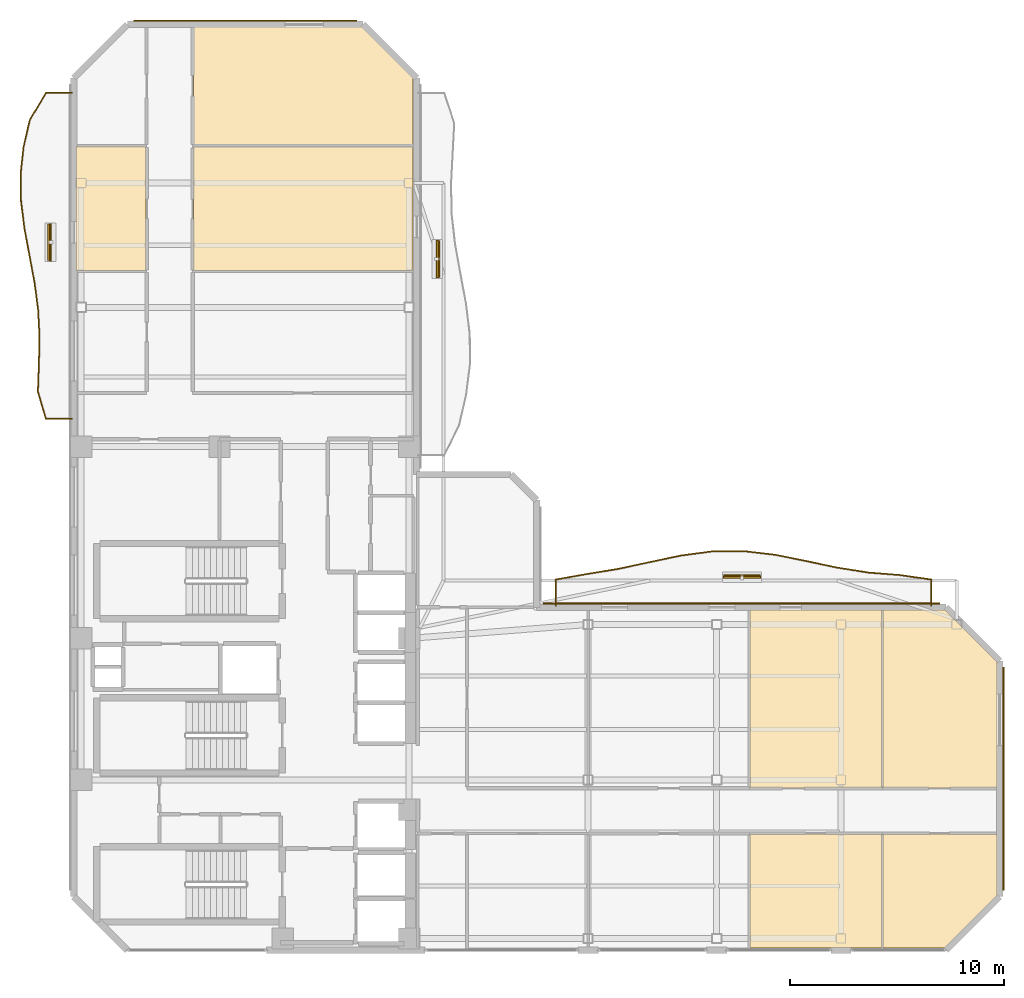
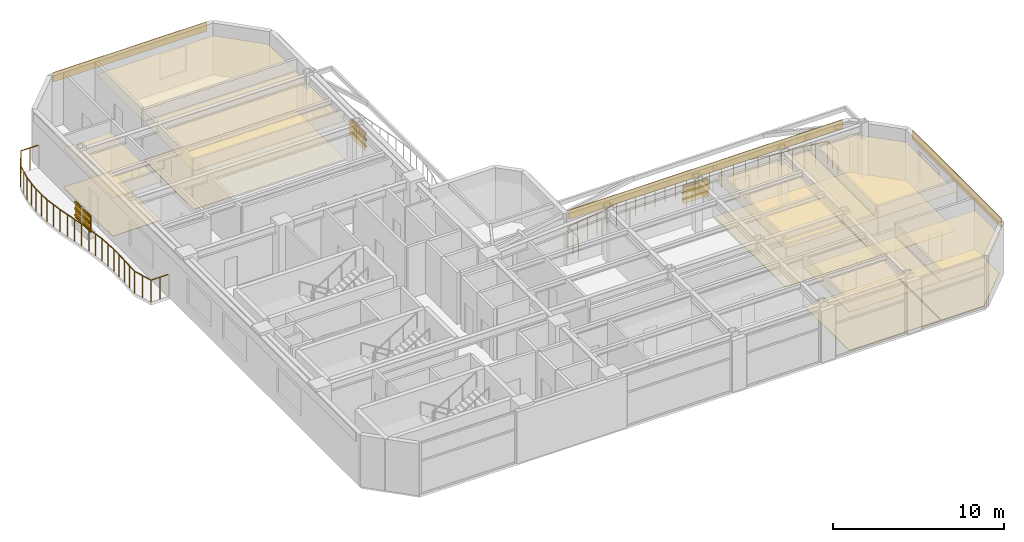
# One storey, part 16 of 16: 16 coverings, 12 shading devices, 2 railings.
"""IFC4 building model written with IfcOpenShell, lengths in metres."""

import ifcopenshell
import ifcopenshell.guid

model = None  # the IFC model being written
_history = None  # IfcOwnerHistory: only IFC2X3 demands one
_inside = {}  # id of a spatial element -> (the spatial element, [elements in it])
_under = {}  # id of a project, library or spatial element -> (it, [spatial elements below it])
_declared = {}  # id of a project -> (the project, [libraries it declares])
_typed = {}  # id of a type object -> (the type object, [elements of that type])
_made_of = {}  # id of a material, layer set ... -> (it, [elements and type objects made of it])


def new_model(schema):
    """Start an empty IFC model of exactly this schema.

    Asked for "IFC4X3", IfcOpenShell would pick the latest addendum, in which some entities
    have other attributes; the version numbers below select the first issue.
    IFC2X3 requires an IfcOwnerHistory on every rooted entity: one is made here for all.
    """
    global model, _history
    if schema == "IFC4X3":
        model = ifcopenshell.file(schema_version=(4, 3, 0, 0))
    else:
        model = ifcopenshell.file(schema=schema)
    _inside.clear()
    _under.clear()
    _declared.clear()
    _typed.clear()
    _made_of.clear()
    _history = None
    if model.schema == "IFC2X3":
        org = make("IfcOrganization", Name="unknown")
        user = make(
            "IfcPersonAndOrganization",
            ThePerson=make("IfcPerson", FamilyName="unknown"),
            TheOrganization=org,
        )
        app = make(
            "IfcApplication",
            ApplicationDeveloper=org,
            Version="unknown",
            ApplicationFullName="unknown",
            ApplicationIdentifier="unknown",
        )
        _history = make(
            "IfcOwnerHistory",
            OwningUser=user,
            OwningApplication=app,
            ChangeAction="ADDED",
            CreationDate=0,
        )
    return model


def make(cls, **values):
    """One entity of the class cls with the attributes given. An attribute that is None is left unset."""
    return model.create_entity(
        cls, **{name: value for name, value in values.items() if value is not None}
    )


def rooted(cls, **values):
    """An entity with a GlobalId (a new one), such as an element, a storey or a relation."""
    return make(cls, GlobalId=ifcopenshell.guid.new(), OwnerHistory=_history, **values)


def si_unit(unit_type, name, prefix=None):
    """IfcSIUnit, for example si_unit("LENGTHUNIT", "METRE", prefix="MILLI")."""
    return make("IfcSIUnit", UnitType=unit_type, Prefix=prefix, Name=name)


def assignment(units):
    """IfcUnitAssignment: the units of a project."""
    return None if units is None else make("IfcUnitAssignment", Units=units)


def point(xyz):
    """IfcCartesianPoint."""
    return None if xyz is None else make("IfcCartesianPoint", Coordinates=xyz)


def direction(xyz):
    """IfcDirection."""
    return None if xyz is None else make("IfcDirection", DirectionRatios=xyz)


def frame(location, z_axis=None, x_axis=None):
    """IfcAxis2Placement3D, a coordinate frame: its origin and axes. An axis left out is left unset."""
    return make(
        "IfcAxis2Placement3D",
        Location=point(location),
        Axis=direction(z_axis),
        RefDirection=direction(x_axis),
    )


def frame_2d(location, x_axis=None):
    """IfcAxis2Placement2D, a coordinate frame in the plane: its origin and x axis."""
    return make(
        "IfcAxis2Placement2D", Location=point(location), RefDirection=direction(x_axis)
    )


def origin():
    """The frame at (0, 0, 0) with its axes left unset."""
    return frame((0.0, 0.0, 0.0))


def origin_2d():
    """The frame at (0, 0) in the plane with its x axis left unset."""
    return frame_2d((0.0, 0.0))


def place(relative_to, where):
    """IfcLocalPlacement: puts the frame where relative to a parent placement (None: the world)."""
    return make(
        "IfcLocalPlacement", PlacementRelTo=relative_to, RelativePlacement=where
    )


def context(
    kind, dimensions, precision=None, world=None, true_north=None, identifier=None
):
    """IfcGeometricRepresentationContext, for example the 3D "Model" context."""
    return make(
        "IfcGeometricRepresentationContext",
        ContextIdentifier=identifier,
        ContextType=kind,
        CoordinateSpaceDimension=dimensions,
        Precision=precision,
        WorldCoordinateSystem=world,
        TrueNorth=true_north,
    )


def subcontext(parent, identifier, kind, view, scale=None):
    """IfcGeometricRepresentationSubContext, for example "Body" below "Model"."""
    return make(
        "IfcGeometricRepresentationSubContext",
        ContextIdentifier=identifier,
        ContextType=kind,
        ParentContext=parent,
        TargetScale=scale,
        TargetView=view,
    )


def project(units=None, contexts=None):
    """IfcProject with its units and contexts."""
    return rooted(
        "IfcProject",
        Name="project",
        RepresentationContexts=contexts,
        UnitsInContext=assignment(units),
    )


def spatial(cls, under=None, at=None, **own):
    """A site, building, storey or space (cls), placed at a placement, below another one or the project."""
    s = rooted(cls, ObjectPlacement=at, **own)
    if under is not None:
        _under.setdefault(under.id(), (under, []))[1].append(s)
    return s


def polyline(points):
    """IfcPolyline through the points."""
    return make("IfcPolyline", Points=[point(p) for p in points])


def profile(cls, at=None, kind="AREA", **sizes):
    """A parametric profile (cls). Its sizes go by their IFC names, for example OverallWidth=200.0."""
    return make(cls, ProfileType=kind, Position=at, **sizes)


def rectangle(**sizes):
    """IfcRectangleProfileDef."""
    return profile("IfcRectangleProfileDef", **sizes)


def outline(outer, holes=None, kind="AREA"):
    """IfcArbitraryClosedProfileDef: a profile drawn as a closed curve; with holes, ...WithVoids."""
    if holes is None:
        return make("IfcArbitraryClosedProfileDef", ProfileType=kind, OuterCurve=outer)
    return make(
        "IfcArbitraryProfileDefWithVoids",
        ProfileType=kind,
        OuterCurve=outer,
        InnerCurves=holes,
    )


def extrude(swept, where, along, depth):
    """IfcExtrudedAreaSolid: the profile swept, set in the frame where, extruded along a direction by depth."""
    return make(
        "IfcExtrudedAreaSolid",
        SweptArea=swept,
        Position=where,
        ExtrudedDirection=direction(along),
        Depth=depth,
    )


def shape(context_of_items, identifier, shape_type, items):
    """IfcShapeRepresentation: the items that make up one representation, for example the "Body"."""
    return make(
        "IfcShapeRepresentation",
        ContextOfItems=context_of_items,
        RepresentationIdentifier=identifier,
        RepresentationType=shape_type,
        Items=items,
    )


def material(Name=None, Category=None):
    """IfcMaterial."""
    return make("IfcMaterial", Name=Name, Category=Category)


def layer(
    of_material, thickness, ventilated=None, Name=None, Category=None, Priority=None
):
    """IfcMaterialLayer: one layer of a wall or slab, of a material (None: an air gap)."""
    return make(
        "IfcMaterialLayer",
        Material=of_material,
        LayerThickness=thickness,
        IsVentilated=ventilated,
        Name=Name,
        Category=Category,
        Priority=Priority,
    )


def layer_set(layers, Name=None):
    """IfcMaterialLayerSet."""
    return make("IfcMaterialLayerSet", MaterialLayers=layers, LayerSetName=Name)


def material_profile(
    of_material, cross_section, Name=None, Category=None, Priority=None
):
    """IfcMaterialProfile: a cross section and its material."""
    return make(
        "IfcMaterialProfile",
        Name=Name,
        Material=of_material,
        Profile=cross_section,
        Priority=Priority,
        Category=Category,
    )


def profile_set(profiles, Name=None, composite=None):
    """IfcMaterialProfileSet."""
    return make(
        "IfcMaterialProfileSet",
        Name=Name,
        MaterialProfiles=profiles,
        CompositeProfile=composite,
    )


def made_of(thing, what):
    """Note that an element or type object is made of a material, layer set ...; save() writes the relation."""
    if what is not None:
        _made_of.setdefault(what.id(), (what, []))[1].append(thing)
    return thing


def type_object(cls, material=None, **own):
    """A type object (cls), such as IfcWallType, which elements share."""
    return made_of(rooted(cls, **own), material)


def element(
    cls,
    number,
    at=None,
    inside=None,
    cuts=None,
    type_object=None,
    material=None,
    context=None,
    identifier="Body",
    shape_type=None,
    held_by="IfcProductDefinitionShape",
    body=None,
    shapes=None,
    **own,
):
    """One element of the class cls, such as IfcWall. Its Tag is "e" and its number.

    at: its placement. inside: the storey or other place that contains it. cuts: it is an
    opening in that element (IfcRelVoidsElement). A single representation is given by context,
    identifier, shape_type and body (its items); several are given by shapes. held_by: the class
    of the entity that holds the representations. save() writes the other relations.
    """
    e = rooted(cls, Tag="e%d" % number, ObjectPlacement=at, **own)
    if body is not None:
        shapes = [shape(context, identifier, shape_type, body)]
    if shapes is not None:
        e.Representation = make(held_by, Representations=shapes)
    if inside is not None:
        _inside.setdefault(inside.id(), (inside, []))[1].append(e)
    if cuts is not None:
        rooted(
            "IfcRelVoidsElement", RelatingBuildingElement=cuts, RelatedOpeningElement=e
        )
    if type_object is not None:
        _typed.setdefault(type_object.id(), (type_object, []))[1].append(e)
    return made_of(e, material)


def aggregate(whole, parts):
    """IfcRelAggregates: a whole, such as a stair, and the parts it consists of."""
    return rooted("IfcRelAggregates", RelatingObject=whole, RelatedObjects=parts)


def save(model, path):
    """Write the relations noted so far, then the file.

    IfcRelAggregates (storeys below a building ...), IfcRelContainedInSpatialStructure (elements
    in a storey), IfcRelDefinesByType, IfcRelAssociatesMaterial and IfcRelDeclares: one each for
    every whole, place, type object, material and project.
    """
    for whole, parts in _under.values():
        aggregate(whole, parts)
    for where, things in _inside.values():
        rooted(
            "IfcRelContainedInSpatialStructure",
            RelatedElements=things,
            RelatingStructure=where,
        )
    for kind, things in _typed.values():
        rooted("IfcRelDefinesByType", RelatedObjects=things, RelatingType=kind)
    for what, things in _made_of.values():
        rooted("IfcRelAssociatesMaterial", RelatedObjects=things, RelatingMaterial=what)
    for by, libraries in _declared.values():
        rooted("IfcRelDeclares", RelatingContext=by, RelatedDefinitions=libraries)
    model.write(path)


model = new_model("IFC4")

# Units and contexts
model_context = context("Model", 3, precision=1e-05, world=origin(), true_north=direction((0.0, 1.0)))
body_context = subcontext(model_context, "Body", "Model", "MODEL_VIEW")
ifc_project = project(units=[si_unit("LENGTHUNIT", "METRE"), si_unit("AREAUNIT", "SQUARE_METRE"), si_unit("VOLUMEUNIT", "CUBIC_METRE"), si_unit("PLANEANGLEUNIT", "RADIAN"), si_unit("MASSUNIT", "GRAM", prefix="KILO")], contexts=[model_context])

# Site, building, storey
site_placement = place(None, origin())
site = spatial("IfcSite", under=ifc_project, at=site_placement, CompositionType="ELEMENT")
building_placement = place(site_placement, origin())
building = spatial("IfcBuilding", under=site, at=building_placement, Name="Mawjaban Terraces University", CompositionType="ELEMENT")
storey_placement = place(building_placement, frame((0.0, 0.0, 230.39990234375)))
storey = spatial("IfcBuildingStorey", under=building, at=storey_placement, Name="L56", CompositionType="ELEMENT", Elevation=230.39990234375)

# Coverings
ifc_material_1 = material(Name="Acoustic mineral fibre ceiling tile", Category="masonry")
ifc_layer_1 = layer(ifc_material_1, 0.02001953125)
ifc_layer_set_1 = layer_set([ifc_layer_1], Name="Acoustic mineral fibre ceiling tile")
covering_type_1 = type_object("IfcCoveringType", Name="AcousticMineralCeiling_20", PredefinedType="CEILING", material=ifc_layer_set_1)
covering_1_placement = place(storey_placement, frame((0.0, 0.0, 2.75)))
element("IfcCovering", 1, at=covering_1_placement, inside=storey, type_object=covering_type_1, Name="L56 Conference Room 6 Acoustic Ceiling", PredefinedType="CEILING", context=body_context, shape_type="SweptSolid", body=[
    extrude(outline(polyline([(53.550048828125, 0.114990234375), (59.702880859375, 0.114990234375), (59.702880859375, 5.419921875), (53.550048828125, 5.419921875), (53.550048828125, 0.114990234375)])), origin(), (0.0, 0.0, 1.0), 0.02001953125),
])
covering_2_placement = place(storey_placement, frame((0.0, 0.0, 2.75)))
element("IfcCovering", 2, at=covering_2_placement, inside=storey, type_object=covering_type_1, Name="L56 Classroom 7 Acoustic Ceiling", PredefinedType="CEILING", context=body_context, shape_type="SweptSolid", body=[
    extrude(outline(polyline([(59.702880859375, 15.885009765625), (53.550048828125, 15.885009765625), (53.550048828125, 7.580078125), (59.702880859375, 7.580078125), (59.702880859375, 15.885009765625)])), origin(), (0.0, 0.0, 1.0), 0.02001953125),
])
covering_3_placement = place(storey_placement, frame((0.0, 0.0, 2.75)))
element("IfcCovering", 3, at=covering_3_placement, inside=storey, type_object=covering_type_1, Name="L56 Seminar Room 8 Acoustic Ceiling", PredefinedType="CEILING", context=body_context, shape_type="SweptSolid", body=[
    extrude(outline(polyline([(59.762939453125, 0.114990234375), (62.653076171875, 0.114990234375), (65.0849609375, 2.547119140625), (65.0849609375, 5.419921875), (59.762939453125, 5.419921875), (59.762939453125, 0.114990234375)])), origin(), (0.0, 0.0, 1.0), 0.02001953125),
])
covering_4_placement = place(storey_placement, frame((0.0, 0.0, 2.75)))
element("IfcCovering", 4, at=covering_4_placement, inside=storey, type_object=covering_type_1, Name="L56 Tutorial Room 9 Acoustic Ceiling", PredefinedType="CEILING", context=body_context, shape_type="SweptSolid", body=[
    extrude(outline(polyline([(65.0849609375, 7.580078125), (65.0849609375, 13.452880859375), (62.653076171875, 15.885009765625), (59.762939453125, 15.885009765625), (59.762939453125, 7.580078125), (65.0849609375, 7.580078125)])), origin(), (0.0, 0.0, 1.0), 0.02001953125),
])
covering_5_placement = place(storey_placement, frame((0.0, 0.0, 2.75)))
element("IfcCovering", 5, at=covering_5_placement, inside=storey, type_object=covering_type_1, Name="L56 Quiet Reading Room 12 Acoustic Ceiling", PredefinedType="CEILING", context=body_context, shape_type="SweptSolid", body=[
    extrude(outline(polyline([(22.114990234375, 37.493896484375), (22.114990234375, 31.7060546875), (25.3701171875, 31.7060546875), (25.3701171875, 37.493896484375), (22.114990234375, 37.493896484375)])), origin(), (0.0, 0.0, 1.0), 0.02001953125),
])
covering_6_placement = place(storey_placement, frame((0.0, 0.0, 2.75)))
element("IfcCovering", 6, at=covering_6_placement, inside=storey, type_object=covering_type_1, Name="L56 Reading Salon 13 Acoustic Ceiling", PredefinedType="CEILING", context=body_context, shape_type="SweptSolid", body=[
    extrude(outline(polyline([(37.820068359375, 31.7060546875), (37.820068359375, 37.493896484375), (27.580078125, 37.493896484375), (27.580078125, 31.7060546875), (37.820068359375, 31.7060546875)])), origin(), (0.0, 0.0, 1.0), 0.02001953125),
])
covering_7_placement = place(storey_placement, frame((0.0, 0.0, 2.75)))
element("IfcCovering", 7, at=covering_7_placement, inside=storey, type_object=covering_type_1, Name="L56 Design Studio 15 Acoustic Ceiling", PredefinedType="CEILING", context=body_context, shape_type="SweptSolid", body=[
    extrude(outline(polyline([(37.820068359375, 40.718017578125), (35.452880859375, 43.0849609375), (27.580078125, 43.0849609375), (27.580078125, 37.553955078125), (37.820068359375, 37.553955078125), (37.820068359375, 40.718017578125)])), origin(), (0.0, 0.0, 1.0), 0.02001953125),
])

# Railings
ifc_material_2 = material(Name="Galvanised powder-coated steel S355", Category="steel")
railing_type = type_object("IfcRailingType", Name="BalconyBalustrade_1600", PredefinedType="BALUSTRADE", material=ifc_material_2)
railing_1_placement = place(storey_placement, frame((21.919921875, 24.800048828125, 0.0)))
element("IfcRailing", 8, at=railing_1_placement, inside=storey, type_object=railing_type, Name="L56 Balcony Guardrail west", PredefinedType="BALUSTRADE", context=body_context, shape_type="SweptSolid", body=[
    extrude(rectangle(XDim=0.048095703125, YDim=0.048095703125, at=origin_2d()), frame((0.0, 0.0, 1.576171875), z_axis=(-1.0, 0.0, 0.0), x_axis=(0.0, -1.0, 0.0)), (0.0, 0.0, 1.0), 1.219970703125),
    extrude(rectangle(XDim=0.048095703125, YDim=0.048095703125, at=origin_2d()), frame((-1.219970703125, 0.0, 1.576171875), z_axis=(-0.283836652003, 0.958872647946, 0.0), x_axis=(-0.958872647946, -0.283836652003, 0.0)), (0.0, 0.0, 1.0), 1.3212890625),
    extrude(rectangle(XDim=0.048095703125, YDim=0.048095703125, at=origin_2d()), frame((-1.594970703125, 1.266845703125, 1.576171875), z_axis=(0.036420094756, 0.999336568278, 0.0), x_axis=(-0.999336568278, 0.036420094756, 0.0)), (0.0, 0.0, 1.0), 1.266845703125),
    extrude(rectangle(XDim=0.048095703125, YDim=0.048095703125, at=origin_2d()), frame((-1.548828125, 2.532958984375, 1.576171875), z_axis=(0.022730156671, 0.999741636613, 0.0), x_axis=(-0.999741636613, 0.022730156671, 0.0)), (0.0, 0.0, 1.0), 1.267333984375),
    extrude(rectangle(XDim=0.048095703125, YDim=0.048095703125, at=origin_2d()), frame((-1.52001953125, 3.800048828125, 1.576171875), z_axis=(-0.049659218488, 0.998766219903, 0.0), x_axis=(-0.998766219903, -0.049659218488, 0.0)), (0.0, 0.0, 1.0), 1.268310546875),
    extrude(rectangle(XDim=0.048095703125, YDim=0.048095703125, at=origin_2d()), frame((-1.5830078125, 5.06689453125, 1.576171875), z_axis=(-0.1300093866, 0.991512763103, 0.0), x_axis=(-0.991512763103, -0.1300093866, 0.0)), (0.0, 0.0, 1.0), 1.27685546875),
    extrude(rectangle(XDim=0.048095703125, YDim=0.048095703125, at=origin_2d()), frame((-1.7490234375, 6.3330078125, 1.576171875), z_axis=(-0.183018639855, 0.98310944328, 0.0), x_axis=(-0.98310944328, -0.183018639855, 0.0)), (0.0, 0.0, 1.0), 1.28857421875),
    extrude(rectangle(XDim=0.048095703125, YDim=0.048095703125, at=origin_2d()), frame((-1.98486328125, 7.599853515625, 1.576171875), z_axis=(-0.183167629907, 0.983081695158, 0.0), x_axis=(-0.983081695158, -0.183167629907, 0.0)), (0.0, 0.0, 1.0), 1.288818359375),
    extrude(rectangle(XDim=0.048095703125, YDim=0.048095703125, at=origin_2d()), frame((-2.220947265625, 8.866943359375, 1.576171875), z_axis=(-0.124552767718, 0.992212985227, 0.0), x_axis=(-0.992212985227, -0.124552767718, 0.0)), (0.0, 0.0, 1.0), 1.276123046875),
    extrude(rectangle(XDim=0.048095703125, YDim=0.048095703125, at=origin_2d()), frame((-2.3798828125, 10.133056640625, 1.576171875), z_axis=(-0.018112272148, 0.999835959344, 0.0), x_axis=(-0.999835959344, -0.018112272148, 0.0)), (0.0, 0.0, 1.0), 1.26708984375),
    extrude(rectangle(XDim=0.048095703125, YDim=0.048095703125, at=origin_2d()), frame((-2.40283203125, 11.39990234375, 1.576171875), z_axis=(0.107466490315, 0.994208707193, 0.0), x_axis=(-0.994208707193, 0.107466490315, 0.0)), (0.0, 0.0, 1.0), 1.2744140625),
    extrude(rectangle(XDim=0.048095703125, YDim=0.048095703125, at=origin_2d()), frame((-2.265869140625, 12.6669921875, 1.576171875), z_axis=(0.224049507201, 0.974577764123, 0.0), x_axis=(-0.974577764123, 0.224049507201, 0.0)), (0.0, 0.0, 1.0), 1.298828125),
    extrude(rectangle(XDim=0.048095703125, YDim=0.048095703125, at=origin_2d()), frame((-1.974853515625, 13.932861328125, 1.576171875), z_axis=(0.511815572466, 0.859095349645, 0.0), x_axis=(-0.859095349645, 0.511815572466, 0.0)), (0.0, 0.0, 1.0), 1.474853515625),
    extrude(rectangle(XDim=0.048095703125, YDim=0.048095703125, at=origin_2d()), frame((-1.219970703125, 15.199951171875, 1.576171875), z_axis=(1.0, 0.0, 0.0), x_axis=(0.0, 1.0, 0.0)), (0.0, 0.0, 1.0), 1.219970703125),
    extrude(rectangle(XDim=0.0419921875, YDim=0.0419921875, at=origin_2d()), origin(), (0.0, 0.0, 1.0), 1.552001953125),
    extrude(rectangle(XDim=0.0419921875, YDim=0.0419921875, at=origin_2d()), frame((-0.60986328125, 0.0, 0.0)), (0.0, 0.0, 1.0), 1.552001953125),
    extrude(rectangle(XDim=0.0419921875, YDim=0.0419921875, at=origin_2d()), frame((-1.219970703125, 0.0, 0.0)), (0.0, 0.0, 1.0), 1.552001953125),
    extrude(rectangle(XDim=0.0419921875, YDim=0.0419921875, at=origin_2d()), frame((-1.407470703125, 0.63330078125, 0.0)), (0.0, 0.0, 1.0), 1.552001953125),
    extrude(rectangle(XDim=0.0419921875, YDim=0.0419921875, at=origin_2d()), frame((-1.594970703125, 1.266845703125, 0.0)), (0.0, 0.0, 1.0), 1.552001953125),
    extrude(rectangle(XDim=0.0419921875, YDim=0.0419921875, at=origin_2d()), frame((-1.57177734375, 1.89990234375, 0.0)), (0.0, 0.0, 1.0), 1.552001953125),
    extrude(rectangle(XDim=0.0419921875, YDim=0.0419921875, at=origin_2d()), frame((-1.548828125, 2.532958984375, 0.0)), (0.0, 0.0, 1.0), 1.552001953125),
    extrude(rectangle(XDim=0.0419921875, YDim=0.0419921875, at=origin_2d()), frame((-1.534423828125, 3.16650390625, 0.0)), (0.0, 0.0, 1.0), 1.552001953125),
    extrude(rectangle(XDim=0.0419921875, YDim=0.0419921875, at=origin_2d()), frame((-1.52001953125, 3.800048828125, 0.0)), (0.0, 0.0, 1.0), 1.552001953125),
    extrude(rectangle(XDim=0.0419921875, YDim=0.0419921875, at=origin_2d()), frame((-1.551513671875, 4.43359375, 0.0)), (0.0, 0.0, 1.0), 1.552001953125),
    extrude(rectangle(XDim=0.0419921875, YDim=0.0419921875, at=origin_2d()), frame((-1.5830078125, 5.06689453125, 0.0)), (0.0, 0.0, 1.0), 1.552001953125),
    extrude(rectangle(XDim=0.0419921875, YDim=0.0419921875, at=origin_2d()), frame((-1.666015625, 5.699951171875, 0.0)), (0.0, 0.0, 1.0), 1.552001953125),
    extrude(rectangle(XDim=0.0419921875, YDim=0.0419921875, at=origin_2d()), frame((-1.7490234375, 6.3330078125, 0.0)), (0.0, 0.0, 1.0), 1.552001953125),
    extrude(rectangle(XDim=0.0419921875, YDim=0.0419921875, at=origin_2d()), frame((-1.866943359375, 6.96630859375, 0.0)), (0.0, 0.0, 1.0), 1.552001953125),
    extrude(rectangle(XDim=0.0419921875, YDim=0.0419921875, at=origin_2d()), frame((-1.98486328125, 7.599853515625, 0.0)), (0.0, 0.0, 1.0), 1.552001953125),
    extrude(rectangle(XDim=0.0419921875, YDim=0.0419921875, at=origin_2d()), frame((-2.10302734375, 8.2333984375, 0.0)), (0.0, 0.0, 1.0), 1.552001953125),
    extrude(rectangle(XDim=0.0419921875, YDim=0.0419921875, at=origin_2d()), frame((-2.220947265625, 8.866943359375, 0.0)), (0.0, 0.0, 1.0), 1.552001953125),
    extrude(rectangle(XDim=0.0419921875, YDim=0.0419921875, at=origin_2d()), frame((-2.30029296875, 9.5, 0.0)), (0.0, 0.0, 1.0), 1.552001953125),
    extrude(rectangle(XDim=0.0419921875, YDim=0.0419921875, at=origin_2d()), frame((-2.3798828125, 10.133056640625, 0.0)), (0.0, 0.0, 1.0), 1.552001953125),
    extrude(rectangle(XDim=0.0419921875, YDim=0.0419921875, at=origin_2d()), frame((-2.391357421875, 10.7666015625, 0.0)), (0.0, 0.0, 1.0), 1.552001953125),
    extrude(rectangle(XDim=0.0419921875, YDim=0.0419921875, at=origin_2d()), frame((-2.40283203125, 11.39990234375, 0.0)), (0.0, 0.0, 1.0), 1.552001953125),
    extrude(rectangle(XDim=0.0419921875, YDim=0.0419921875, at=origin_2d()), frame((-2.33447265625, 12.033447265625, 0.0)), (0.0, 0.0, 1.0), 1.552001953125),
    extrude(rectangle(XDim=0.0419921875, YDim=0.0419921875, at=origin_2d()), frame((-2.265869140625, 12.6669921875, 0.0)), (0.0, 0.0, 1.0), 1.552001953125),
    extrude(rectangle(XDim=0.0419921875, YDim=0.0419921875, at=origin_2d()), frame((-2.120361328125, 13.2998046875, 0.0)), (0.0, 0.0, 1.0), 1.552001953125),
    extrude(rectangle(XDim=0.0419921875, YDim=0.0419921875, at=origin_2d()), frame((-1.974853515625, 13.932861328125, 0.0)), (0.0, 0.0, 1.0), 1.552001953125),
    extrude(rectangle(XDim=0.0419921875, YDim=0.0419921875, at=origin_2d()), frame((-1.597412109375, 14.56640625, 0.0)), (0.0, 0.0, 1.0), 1.552001953125),
    extrude(rectangle(XDim=0.0419921875, YDim=0.0419921875, at=origin_2d()), frame((-1.219970703125, 15.199951171875, 0.0)), (0.0, 0.0, 1.0), 1.552001953125),
    extrude(rectangle(XDim=0.0419921875, YDim=0.0419921875, at=origin_2d()), frame((-0.60986328125, 15.199951171875, 0.0)), (0.0, 0.0, 1.0), 1.552001953125),
    extrude(rectangle(XDim=0.0419921875, YDim=0.0419921875, at=origin_2d()), frame((0.0, 15.199951171875, 0.0)), (0.0, 0.0, 1.0), 1.552001953125),
])
railing_2_placement = place(storey_placement, frame((44.5, 16.080078125, 0.0)))
element("IfcRailing", 9, at=railing_2_placement, inside=storey, type_object=railing_type, Name="L56 Balcony Guardrail inner_north", PredefinedType="BALUSTRADE", context=body_context, shape_type="SweptSolid", body=[
    extrude(rectangle(XDim=0.048095703125, YDim=0.048095703125, at=origin_2d()), frame((0.0, 0.0, 1.576171875), z_axis=(0.0, 1.0, 0.0), x_axis=(-1.0, 0.0, 0.0)), (0.0, 0.0, 1.0), 1.219970703125),
    extrude(rectangle(XDim=0.048095703125, YDim=0.048095703125, at=origin_2d()), frame((0.0, 1.219970703125, 1.576171875), z_axis=(0.984354142278, 0.176201369406, 0.0), x_axis=(-0.176201369406, 0.984354142278, 0.0)), (0.0, 0.0, 1.0), 1.481201171875),
    extrude(rectangle(XDim=0.048095703125, YDim=0.048095703125, at=origin_2d()), frame((1.4580078125, 1.48095703125, 1.576171875), z_axis=(0.987055349452, 0.160379977296, 0.0), x_axis=(-0.160379977296, 0.987055349452, 0.0)), (0.0, 0.0, 1.0), 1.47802734375),
    extrude(rectangle(XDim=0.048095703125, YDim=0.048095703125, at=origin_2d()), frame((2.9169921875, 1.718017578125, 1.576171875), z_axis=(0.977456178018, 0.211138390764, 0.0), x_axis=(-0.211138390764, 0.977456178018, 0.0)), (0.0, 0.0, 1.0), 1.49169921875),
    extrude(rectangle(XDim=0.048095703125, YDim=0.048095703125, at=origin_2d()), frame((4.375, 2.032958984375, 1.576171875), z_axis=(0.978558476834, 0.205969190452, 0.0), x_axis=(-0.205969190452, 0.978558476834, 0.0)), (0.0, 0.0, 1.0), 1.489990234375),
    extrude(rectangle(XDim=0.048095703125, YDim=0.048095703125, at=origin_2d()), frame((5.8330078125, 2.33984375, 1.576171875), z_axis=(0.991266971821, 0.131870355187, 0.0), x_axis=(-0.131870355187, 0.991266971821, 0.0)), (0.0, 0.0, 1.0), 1.471923828125),
    extrude(rectangle(XDim=0.048095703125, YDim=0.048095703125, at=origin_2d()), frame((7.2919921875, 2.533935546875, 1.576171875), z_axis=(0.999954453979, 0.009544106476, 0.0), x_axis=(-0.009544106476, 0.999954453979, 0.0)), (0.0, 0.0, 1.0), 1.4580078125),
    extrude(rectangle(XDim=0.048095703125, YDim=0.048095703125, at=origin_2d()), frame((8.75, 2.5478515625, 1.576171875), z_axis=(0.993200463188, -0.116416665143, 0.0), x_axis=(0.116416665143, 0.993200463188, 0.0)), (0.0, 0.0, 1.0), 1.468017578125),
    extrude(rectangle(XDim=0.048095703125, YDim=0.048095703125, at=origin_2d()), frame((10.2080078125, 2.376953125, 1.576171875), z_axis=(0.980555424147, -0.196242350616, 0.0), x_axis=(0.196242350616, 0.980555424147, 0.0)), (0.0, 0.0, 1.0), 1.488037109375),
    extrude(rectangle(XDim=0.048095703125, YDim=0.048095703125, at=origin_2d()), frame((11.6669921875, 2.0849609375, 1.576171875), z_axis=(0.978260315042, -0.207380703088, 0.0), x_axis=(0.207380703088, 0.978260315042, 0.0)), (0.0, 0.0, 1.0), 1.490478515625),
    extrude(rectangle(XDim=0.048095703125, YDim=0.048095703125, at=origin_2d()), frame((13.125, 1.77587890625, 1.576171875), z_axis=(0.987685066399, -0.156455136104, 0.0), x_axis=(0.156455136104, 0.987685066399, 0.0)), (0.0, 0.0, 1.0), 1.47607421875),
    extrude(rectangle(XDim=0.048095703125, YDim=0.048095703125, at=origin_2d()), frame((14.5830078125, 1.544921875, 1.576171875), z_axis=(0.996908472947, -0.078571601532, 0.0), x_axis=(0.078571601532, 0.996908472947, 0.0)), (0.0, 0.0, 1.0), 1.463623046875),
    extrude(rectangle(XDim=0.048095703125, YDim=0.048095703125, at=origin_2d()), frame((16.0419921875, 1.429931640625, 1.576171875), z_axis=(0.989789758262, -0.142535028819, 0.0), x_axis=(0.142535028819, 0.989789758262, 0.0)), (0.0, 0.0, 1.0), 1.47314453125),
    extrude(rectangle(XDim=0.048095703125, YDim=0.048095703125, at=origin_2d()), frame((17.5, 1.219970703125, 1.576171875), z_axis=(0.0, -1.0, 0.0), x_axis=(1.0, 0.0, 0.0)), (0.0, 0.0, 1.0), 1.219970703125),
    extrude(rectangle(XDim=0.0419921875, YDim=0.0419921875, at=origin_2d()), origin(), (0.0, 0.0, 1.0), 1.552001953125),
    extrude(rectangle(XDim=0.0419921875, YDim=0.0419921875, at=origin_2d()), frame((0.0, 0.60986328125, 0.0)), (0.0, 0.0, 1.0), 1.552001953125),
    extrude(rectangle(XDim=0.0419921875, YDim=0.0419921875, at=origin_2d()), frame((0.0, 1.219970703125, 0.0)), (0.0, 0.0, 1.0), 1.552001953125),
    extrude(rectangle(XDim=0.0419921875, YDim=0.0419921875, at=origin_2d()), frame((0.72900390625, 1.3505859375, 0.0)), (0.0, 0.0, 1.0), 1.552001953125),
    extrude(rectangle(XDim=0.0419921875, YDim=0.0419921875, at=origin_2d()), frame((1.4580078125, 1.48095703125, 0.0)), (0.0, 0.0, 1.0), 1.552001953125),
    extrude(rectangle(XDim=0.0419921875, YDim=0.0419921875, at=origin_2d()), frame((2.1875, 1.599609375, 0.0)), (0.0, 0.0, 1.0), 1.552001953125),
    extrude(rectangle(XDim=0.0419921875, YDim=0.0419921875, at=origin_2d()), frame((2.9169921875, 1.718017578125, 0.0)), (0.0, 0.0, 1.0), 1.552001953125),
    extrude(rectangle(XDim=0.0419921875, YDim=0.0419921875, at=origin_2d()), frame((3.64599609375, 1.87548828125, 0.0)), (0.0, 0.0, 1.0), 1.552001953125),
    extrude(rectangle(XDim=0.0419921875, YDim=0.0419921875, at=origin_2d()), frame((4.375, 2.032958984375, 0.0)), (0.0, 0.0, 1.0), 1.552001953125),
    extrude(rectangle(XDim=0.0419921875, YDim=0.0419921875, at=origin_2d()), frame((5.10400390625, 2.1865234375, 0.0)), (0.0, 0.0, 1.0), 1.552001953125),
    extrude(rectangle(XDim=0.0419921875, YDim=0.0419921875, at=origin_2d()), frame((5.8330078125, 2.33984375, 0.0)), (0.0, 0.0, 1.0), 1.552001953125),
    extrude(rectangle(XDim=0.0419921875, YDim=0.0419921875, at=origin_2d()), frame((6.5625, 2.43701171875, 0.0)), (0.0, 0.0, 1.0), 1.552001953125),
    extrude(rectangle(XDim=0.0419921875, YDim=0.0419921875, at=origin_2d()), frame((7.2919921875, 2.533935546875, 0.0)), (0.0, 0.0, 1.0), 1.552001953125),
    extrude(rectangle(XDim=0.0419921875, YDim=0.0419921875, at=origin_2d()), frame((8.02099609375, 2.541015625, 0.0)), (0.0, 0.0, 1.0), 1.552001953125),
    extrude(rectangle(XDim=0.0419921875, YDim=0.0419921875, at=origin_2d()), frame((8.75, 2.5478515625, 0.0)), (0.0, 0.0, 1.0), 1.552001953125),
    extrude(rectangle(XDim=0.0419921875, YDim=0.0419921875, at=origin_2d()), frame((9.47900390625, 2.46240234375, 0.0)), (0.0, 0.0, 1.0), 1.552001953125),
    extrude(rectangle(XDim=0.0419921875, YDim=0.0419921875, at=origin_2d()), frame((10.2080078125, 2.376953125, 0.0)), (0.0, 0.0, 1.0), 1.552001953125),
    extrude(rectangle(XDim=0.0419921875, YDim=0.0419921875, at=origin_2d()), frame((10.9375, 2.23095703125, 0.0)), (0.0, 0.0, 1.0), 1.552001953125),
    extrude(rectangle(XDim=0.0419921875, YDim=0.0419921875, at=origin_2d()), frame((11.6669921875, 2.0849609375, 0.0)), (0.0, 0.0, 1.0), 1.552001953125),
    extrude(rectangle(XDim=0.0419921875, YDim=0.0419921875, at=origin_2d()), frame((12.39599609375, 1.930419921875, 0.0)), (0.0, 0.0, 1.0), 1.552001953125),
    extrude(rectangle(XDim=0.0419921875, YDim=0.0419921875, at=origin_2d()), frame((13.125, 1.77587890625, 0.0)), (0.0, 0.0, 1.0), 1.552001953125),
    extrude(rectangle(XDim=0.0419921875, YDim=0.0419921875, at=origin_2d()), frame((13.85400390625, 1.660400390625, 0.0)), (0.0, 0.0, 1.0), 1.552001953125),
    extrude(rectangle(XDim=0.0419921875, YDim=0.0419921875, at=origin_2d()), frame((14.5830078125, 1.544921875, 0.0)), (0.0, 0.0, 1.0), 1.552001953125),
    extrude(rectangle(XDim=0.0419921875, YDim=0.0419921875, at=origin_2d()), frame((15.3125, 1.4873046875, 0.0)), (0.0, 0.0, 1.0), 1.552001953125),
    extrude(rectangle(XDim=0.0419921875, YDim=0.0419921875, at=origin_2d()), frame((16.0419921875, 1.429931640625, 0.0)), (0.0, 0.0, 1.0), 1.552001953125),
    extrude(rectangle(XDim=0.0419921875, YDim=0.0419921875, at=origin_2d()), frame((16.77099609375, 1.324951171875, 0.0)), (0.0, 0.0, 1.0), 1.552001953125),
    extrude(rectangle(XDim=0.0419921875, YDim=0.0419921875, at=origin_2d()), frame((17.5, 1.219970703125, 0.0)), (0.0, 0.0, 1.0), 1.552001953125),
    extrude(rectangle(XDim=0.0419921875, YDim=0.0419921875, at=origin_2d()), frame((17.5, 0.60986328125, 0.0)), (0.0, 0.0, 1.0), 1.552001953125),
    extrude(rectangle(XDim=0.0419921875, YDim=0.0419921875, at=origin_2d()), frame((17.5, 0.0, 0.0)), (0.0, 0.0, 1.0), 1.552001953125),
])

# Shading devices
ifc_material_3 = material(Name="Glazed architectural terracotta ceramic", Category="masonry")
ifc_material_profile = material_profile(ifc_material_3, rectangle(XDim=0.06494140625, YDim=0.110107421875, at=origin_2d()), Name="TBAG110X65")
ifc_profile_set = profile_set([ifc_material_profile], Name="Glazed architectural terracotta ceramic")
shading_device_type_1 = type_object("IfcShadingDeviceType", Name="TerracottaBaguette_110x65", PredefinedType="USERDEFINED", material=ifc_profile_set)
for number, where, z_axis, x_axis, name in (
    (10, (20.827880859375, 32.18408203125, 0.68017578125), (0.0, 1.0, 0.0), (-1.0, 0.0, 0.0), "L56 Horizontal Terracotta Baguette west.1"),
    (11, (20.827880859375, 32.18408203125, 1.150146484375), (0.0, 1.0, 0.0), (-1.0, 0.0, 0.0), "L56 Horizontal Terracotta Baguette west.2"),
    (12, (20.827880859375, 32.18408203125, 1.6201171875), (0.0, 1.0, 0.0), (-1.0, 0.0, 0.0), "L56 Horizontal Terracotta Baguette west.3"),
    (13, (52.3291015625, 17.489990234375, 0.68017578125), (1.0, 0.0, 0.0), (0.0, 1.0, 0.0), "L56 Horizontal Terracotta Baguette inner_north.1"),
    (14, (52.3291015625, 17.489990234375, 1.150146484375), (1.0, 0.0, 0.0), (0.0, 1.0, 0.0), "L56 Horizontal Terracotta Baguette inner_north.2"),
    (15, (52.3291015625, 17.489990234375, 1.6201171875), (1.0, 0.0, 0.0), (0.0, 1.0, 0.0), "L56 Horizontal Terracotta Baguette inner_north.3"),
    (16, (39.0439453125, 31.404052734375, 0.68017578125), (0.0, 1.0, 0.0), (-1.0, 0.0, 0.0), "L56 Horizontal Terracotta Baguette inner_east.1"),
    (17, (39.0439453125, 31.404052734375, 1.150146484375), (0.0, 1.0, 0.0), (-1.0, 0.0, 0.0), "L56 Horizontal Terracotta Baguette inner_east.2"),
    (18, (39.0439453125, 31.404052734375, 1.6201171875), (0.0, 1.0, 0.0), (-1.0, 0.0, 0.0), "L56 Horizontal Terracotta Baguette inner_east.3"),
):
    element("IfcShadingDevice", number, at=place(storey_placement, frame(where, z_axis=z_axis, x_axis=x_axis)), inside=storey, type_object=shading_device_type_1, Name=name, ObjectType="BAGUETTE", PredefinedType="USERDEFINED", context=body_context, shape_type="SweptSolid", body=[
        extrude(rectangle(XDim=0.06494140625, YDim=0.110107421875, at=origin_2d()), origin(), (0.0, 0.0, 1.0), 1.699951171875),
    ])
ifc_layer_2 = layer(ifc_material_3, 0.080078125)
ifc_layer_set_2 = layer_set([ifc_layer_2], Name="Glazed architectural terracotta ceramic")
shading_device_type_2 = type_object("IfcShadingDeviceType", Name="TerracottaScreen_Perforated", PredefinedType="USERDEFINED", material=ifc_layer_set_2)
for number, where, z_axis, x_axis, name in (
    (19, (20.9130859375, 33.033935546875, 0.440185546875), (0.0, 0.0, 1.0), (0.0, 1.0, 0.0), "L56 Balcony Perforated Terracotta Screen west"),
    (20, (53.178955078125, 17.405029296875, 0.440185546875), (0.0, 0.0, 1.0), (1.0, 0.0, 0.0), "L56 Balcony Perforated Terracotta Screen inner_north"),
    (21, (38.958984375, 32.25390625, 0.440185546875), (0.0, 0.0, 1.0), (0.0, 1.0, 0.0), "L56 Balcony Perforated Terracotta Screen inner_east"),
):
    element("IfcShadingDevice", number, at=place(storey_placement, frame(where, z_axis=z_axis, x_axis=x_axis)), inside=storey, type_object=shading_device_type_2, Name=name, ObjectType="SCREEN", PredefinedType="USERDEFINED", context=body_context, shape_type="SweptSolid", body=[
        extrude(rectangle(XDim=1.75, YDim=0.080078125, at=origin_2d()), origin(), (0.0, 0.0, 1.0), 1.14990234375),
    ])

# Coverings
ifc_material_4 = material(Name="Glazed architectural terracotta rainscreen", Category="masonry")
ifc_layer_3 = layer(ifc_material_4, 0.06005859375)
ifc_layer_set_3 = layer_set([ifc_layer_3], Name="Glazed architectural terracotta rainscreen")
covering_type_2 = type_object("IfcCoveringType", Name="TerracottaSpandrelCladding_60", PredefinedType="CLADDING", material=ifc_layer_set_3)
covering_8_placement = place(storey_placement, frame((65.375, 8.0, 3.01513671875), z_axis=(0.0, 0.0, 1.0), x_axis=(0.0, 1.0, 0.0)))
element("IfcCovering", 22, at=covering_8_placement, inside=storey, type_object=covering_type_2, Name="L56 Terracotta Spandrel Cladding 3", PredefinedType="CLADDING", context=body_context, shape_type="SweptSolid", body=[
    extrude(rectangle(XDim=10.39990234375, YDim=0.06005859375, at=origin_2d()), origin(), (0.0, 0.0, 1.0), 0.64990234375),
])
covering_9_placement = place(storey_placement, frame((53.14990234375, 16.175048828125, 3.01513671875), z_axis=(0.0, 0.0, 1.0), x_axis=(-1.0, 0.0, 0.0)))
element("IfcCovering", 23, at=covering_9_placement, inside=storey, type_object=covering_type_2, Name="L56 Terracotta Spandrel Cladding 5", PredefinedType="CLADDING", context=body_context, shape_type="SweptSolid", body=[
    extrude(rectangle(XDim=18.5, YDim=0.06005859375, at=origin_2d()), origin(), (0.0, 0.0, 1.0), 0.64990234375),
])
covering_10_placement = place(storey_placement, frame((30.0, 43.375, 3.01513671875), z_axis=(0.0, 0.0, 1.0), x_axis=(-1.0, 0.0, 0.0)))
element("IfcCovering", 24, at=covering_10_placement, inside=storey, type_object=covering_type_2, Name="L56 Terracotta Spandrel Cladding 11", PredefinedType="CLADDING", context=body_context, shape_type="SweptSolid", body=[
    extrude(rectangle(XDim=10.39990234375, YDim=0.06005859375, at=origin_2d()), origin(), (0.0, 0.0, 1.0), 0.64990234375),
])
ifc_material_5 = material(Name="Polished Hijazi granite terrazzo flooring", Category="masonry")
ifc_layer_4 = layer(ifc_material_5, 0.02490234375)
ifc_layer_set_4 = layer_set([ifc_layer_4], Name="Polished Hijazi granite terrazzo flooring")
covering_type_3 = type_object("IfcCoveringType", Name="TerrazzoConcourseFlooring_25", PredefinedType="FLOORING", material=ifc_layer_set_4)
covering_11_placement = place(storey_placement, origin())
element("IfcCovering", 25, at=covering_11_placement, inside=storey, type_object=covering_type_3, Name="L56 Conference Room 6 Terrazzo Flooring", PredefinedType="FLOORING", context=body_context, shape_type="SweptSolid", body=[
    extrude(outline(polyline([(53.550048828125, 0.114990234375), (59.702880859375, 0.114990234375), (59.702880859375, 5.419921875), (53.550048828125, 5.419921875), (53.550048828125, 0.114990234375)])), origin(), (0.0, 0.0, 1.0), 0.025146484375),
])
covering_12_placement = place(storey_placement, origin())
element("IfcCovering", 26, at=covering_12_placement, inside=storey, type_object=covering_type_3, Name="L56 Classroom 7 Terrazzo Flooring", PredefinedType="FLOORING", context=body_context, shape_type="SweptSolid", body=[
    extrude(outline(polyline([(59.702880859375, 15.885009765625), (53.550048828125, 15.885009765625), (53.550048828125, 7.580078125), (59.702880859375, 7.580078125), (59.702880859375, 15.885009765625)])), origin(), (0.0, 0.0, 1.0), 0.025146484375),
])
covering_13_placement = place(storey_placement, origin())
element("IfcCovering", 27, at=covering_13_placement, inside=storey, type_object=covering_type_3, Name="L56 Seminar Room 8 Terrazzo Flooring", PredefinedType="FLOORING", context=body_context, shape_type="SweptSolid", body=[
    extrude(outline(polyline([(59.762939453125, 0.114990234375), (62.653076171875, 0.114990234375), (65.0849609375, 2.547119140625), (65.0849609375, 5.419921875), (59.762939453125, 5.419921875), (59.762939453125, 0.114990234375)])), origin(), (0.0, 0.0, 1.0), 0.025146484375),
])
covering_14_placement = place(storey_placement, origin())
element("IfcCovering", 28, at=covering_14_placement, inside=storey, type_object=covering_type_3, Name="L56 Tutorial Room 9 Terrazzo Flooring", PredefinedType="FLOORING", context=body_context, shape_type="SweptSolid", body=[
    extrude(outline(polyline([(65.0849609375, 7.580078125), (65.0849609375, 13.452880859375), (62.653076171875, 15.885009765625), (59.762939453125, 15.885009765625), (59.762939453125, 7.580078125), (65.0849609375, 7.580078125)])), origin(), (0.0, 0.0, 1.0), 0.025146484375),
])
covering_15_placement = place(storey_placement, origin())
element("IfcCovering", 29, at=covering_15_placement, inside=storey, type_object=covering_type_3, Name="L56 Quiet Reading Room 12 Terrazzo Flooring", PredefinedType="FLOORING", context=body_context, shape_type="SweptSolid", body=[
    extrude(outline(polyline([(22.114990234375, 37.493896484375), (22.114990234375, 31.7060546875), (25.3701171875, 31.7060546875), (25.3701171875, 37.493896484375), (22.114990234375, 37.493896484375)])), origin(), (0.0, 0.0, 1.0), 0.025146484375),
])
covering_16_placement = place(storey_placement, origin())
element("IfcCovering", 30, at=covering_16_placement, inside=storey, type_object=covering_type_3, Name="L56 Reading Salon 13 Terrazzo Flooring", PredefinedType="FLOORING", context=body_context, shape_type="SweptSolid", body=[
    extrude(outline(polyline([(37.820068359375, 31.7060546875), (37.820068359375, 37.493896484375), (27.580078125, 37.493896484375), (27.580078125, 31.7060546875), (37.820068359375, 31.7060546875)])), origin(), (0.0, 0.0, 1.0), 0.025146484375),
])

save(model, "model.ifc")
